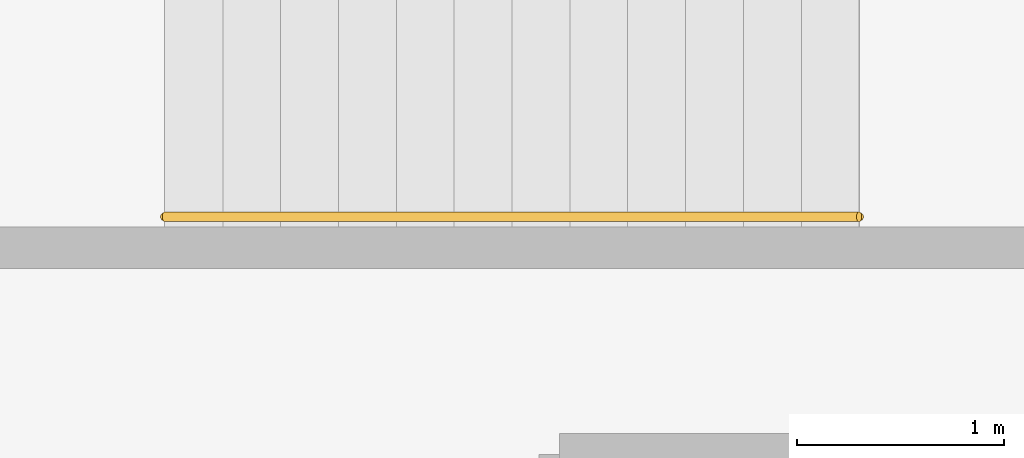
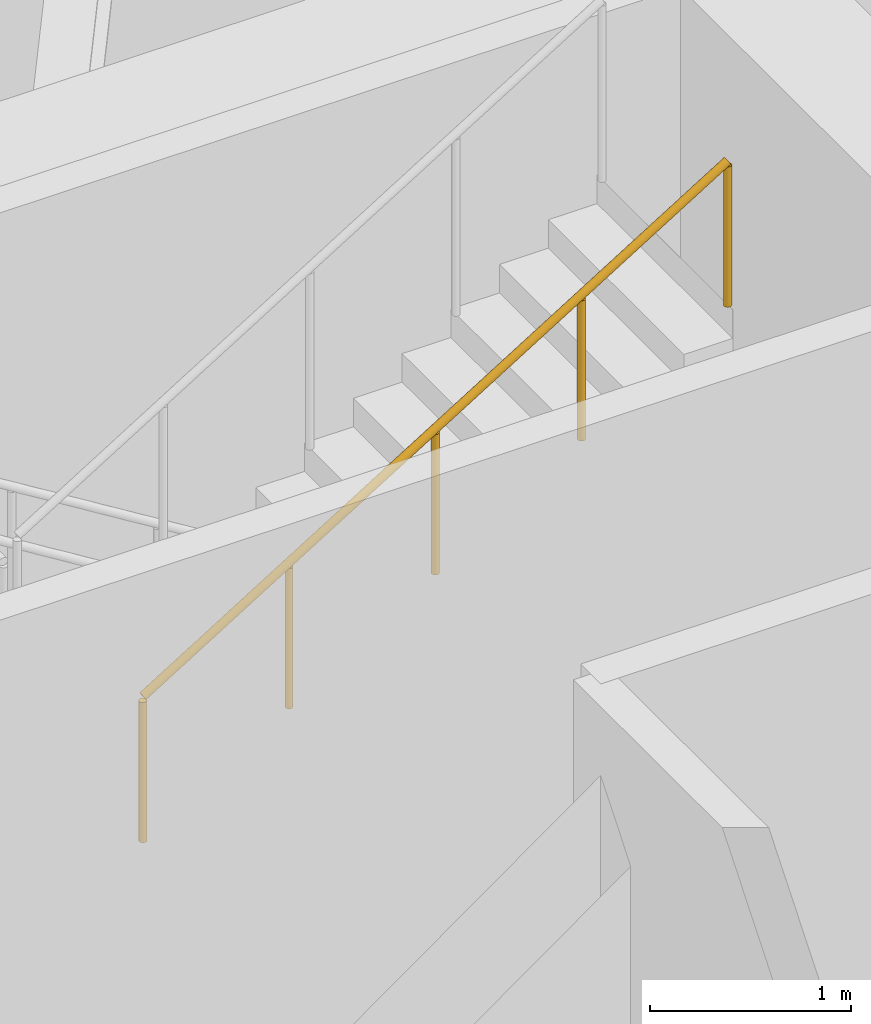
# One storey, part 8 of 10: 1 railing.
"""IFC4 building model written with IfcOpenShell, lengths in metres."""

from ifc_helpers import new_model, si_unit, direction, frame, origin, origin_2d, place, context, subcontext, project, spatial, circle, extrude, material, type_object, element, save


model = new_model("IFC4")

# Units and contexts
model_context = context("Model", 3, precision=1e-05, world=origin(), true_north=direction((0.0, 1.0)))
body_context = subcontext(model_context, "Body", "Model", "MODEL_VIEW")
ifc_project = project(units=[si_unit("LENGTHUNIT", "METRE"), si_unit("AREAUNIT", "SQUARE_METRE"), si_unit("VOLUMEUNIT", "CUBIC_METRE"), si_unit("PLANEANGLEUNIT", "RADIAN"), si_unit("MASSUNIT", "GRAM", prefix="KILO"), si_unit("THERMODYNAMICTEMPERATUREUNIT", "KELVIN")], contexts=[model_context])

# Site, building, storey
site_placement = place(None, origin())
site = spatial("IfcSite", under=ifc_project, at=site_placement, CompositionType="ELEMENT")
building_placement = place(site_placement, origin())
building = spatial("IfcBuilding", under=site, at=building_placement, Name="Kethvar Cultural Tower", CompositionType="ELEMENT")
storey_placement = place(building_placement, frame((0.0, 0.0, -4.5)))
storey = spatial("IfcBuildingStorey", under=building, at=storey_placement, Name="B01", CompositionType="ELEMENT", Elevation=-4.5)

# Railing
ifc_material = material(Name="Steel S355J2", Category="steel")
railing_type = type_object("IfcRailingType", Name="RL-STAIR-HANDRAIL", PredefinedType="HANDRAIL", material=ifc_material)
railing_placement = place(storey_placement, frame((50.5400390625, 32.199951171875, 2.423095703125)))
element("IfcRailing", 1, at=railing_placement, inside=storey, type_object=railing_type, Name="B01 ST-03 stair handrail 2", PredefinedType="HANDRAIL", context=body_context, shape_type="SweptSolid", body=[
    extrude(circle(Radius=0.02392578125, at=origin_2d()), frame((0.0, 0.0, 0.8759765625), z_axis=(0.850606129759, 0.0, 0.525803396734), x_axis=(0.0, 1.0, 0.0)), (0.0, 0.0, 1.0), 3.949951171875),
    extrude(circle(Radius=0.02099609375, at=origin_2d()), origin(), (0.0, 0.0, 1.0), 0.851806640625),
    extrude(circle(Radius=0.02099609375, at=origin_2d()), frame((0.83984375, 0.0, 0.519287109375)), (0.0, 0.0, 1.0), 0.851806640625),
    extrude(circle(Radius=0.02099609375, at=origin_2d()), frame((1.679931640625, 0.0, 1.03857421875)), (0.0, 0.0, 1.0), 0.851806640625),
    extrude(circle(Radius=0.02099609375, at=origin_2d()), frame((2.52001953125, 0.0, 1.5576171875)), (0.0, 0.0, 1.0), 0.851806640625),
    extrude(circle(Radius=0.02099609375, at=origin_2d()), frame((3.35986328125, 0.0, 2.076904296875)), (0.0, 0.0, 1.0), 0.851806640625),
])

save(model, "model.ifc")
